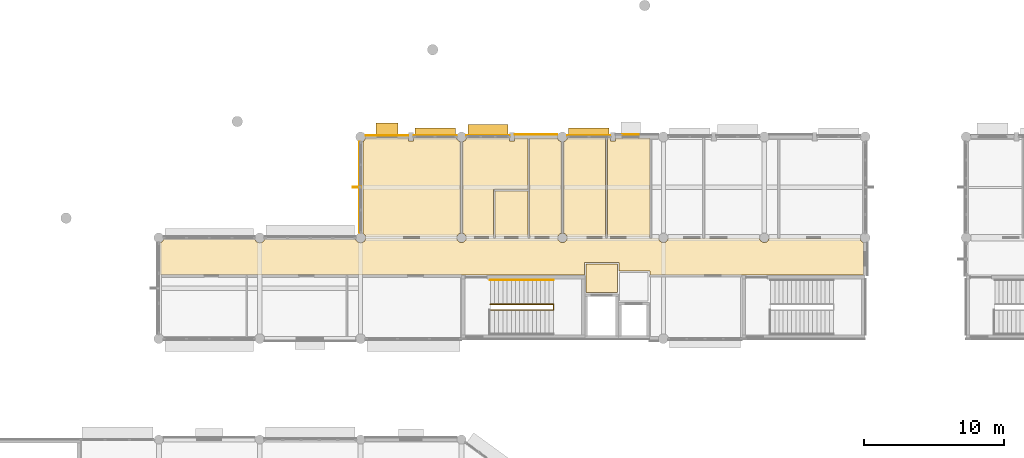
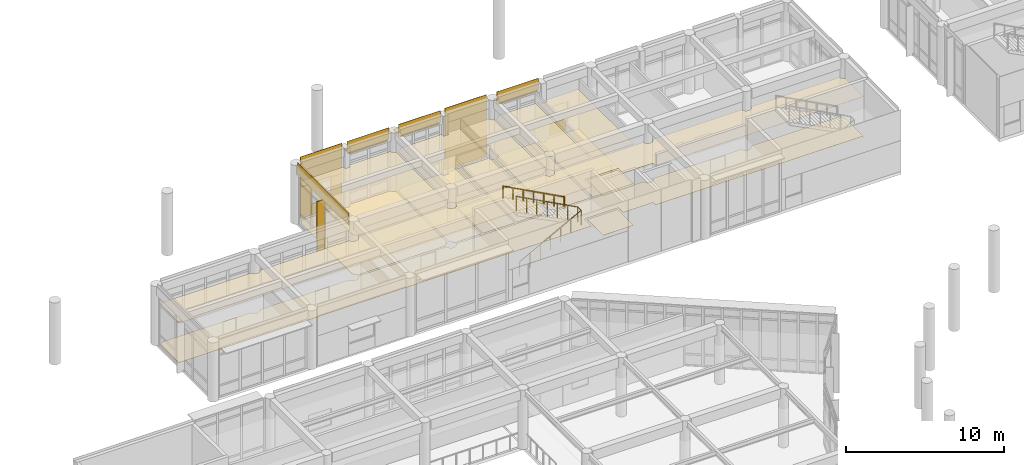
# One storey, part 81 of 92: 26 coverings, 5 shading devices, 2 railings.
"""IFC4 building model written with IfcOpenShell, lengths in metres."""

from ifc_helpers import new_model, si_unit, direction, frame, origin, origin_2d, place, context, subcontext, project, spatial, polyline, rectangle, circle, outline, extrude, material, layer, layer_set, type_object, element, save


model = new_model("IFC4")

# Units and contexts
model_context = context("Model", 3, precision=1e-05, world=origin(), true_north=direction((0.0, 1.0)))
body_context = subcontext(model_context, "Body", "Model", "MODEL_VIEW")
ifc_project = project(units=[si_unit("LENGTHUNIT", "METRE"), si_unit("AREAUNIT", "SQUARE_METRE"), si_unit("VOLUMEUNIT", "CUBIC_METRE"), si_unit("PLANEANGLEUNIT", "RADIAN"), si_unit("MASSUNIT", "GRAM", prefix="KILO")], contexts=[model_context])

# Site, building, storey
site_placement = place(None, origin())
site = spatial("IfcSite", under=ifc_project, at=site_placement, CompositionType="ELEMENT")
building_placement = place(site_placement, origin())
building = spatial("IfcBuilding", under=site, at=building_placement, Name="Namkhue Oval Health Centre", CompositionType="ELEMENT")
storey_placement = place(building_placement, frame((0.0, 0.0, 4.800048828125)))
storey = spatial("IfcBuildingStorey", under=building, at=storey_placement, Name="L01", CompositionType="ELEMENT", Elevation=4.800048828125)

# Coverings
ifc_material_1 = material(Name="Acoustic mineral-fibre cleanroom ceiling", Category="gypsum")
ifc_layer_1 = layer(ifc_material_1, 0.02001953125)
ifc_layer_set_1 = layer_set([ifc_layer_1], Name="Acoustic mineral-fibre cleanroom ceiling")
covering_type_1 = type_object("IfcCoveringType", Name="ACOUSTIC CLEANROOM CEILING 20", PredefinedType="CEILING", material=ifc_layer_set_1)
covering_1_placement = place(storey_placement, frame((0.0, 0.0, 3.050048828125)))
element("IfcCovering", 1, at=covering_1_placement, inside=storey, type_object=covering_type_1, Name="Acoustic Ceiling L01-LL1 Lift Lobby LF-01", PredefinedType="CEILING", context=body_context, shape_type="SweptSolid", body=[
    extrude(outline(polyline([(66.47998046875, 93.280029296875), (66.47998046875, 95.320068359375), (68.719970703125, 95.320068359375), (68.719970703125, 93.280029296875), (66.47998046875, 93.280029296875)])), origin(), (0.0, 0.0, 1.0), 0.02001953125),
])
covering_2_placement = place(storey_placement, frame((0.0, 0.0, 3.050048828125)))
element("IfcCovering", 2, at=covering_2_placement, inside=storey, type_object=covering_type_1, Name="Acoustic Ceiling L01-V2-C1 V2 Clinical Corridor", PredefinedType="CEILING", context=body_context, shape_type="SweptSolid", body=[
    extrude(outline(polyline([(57.270263671875, 97.159912109375), (57.2763671875, 97.11328125), (57.309814453125, 97.032470703125), (57.363037109375, 96.963134765625), (57.4326171875, 96.909912109375), (57.51318359375, 96.87646484375), (57.60009765625, 96.864990234375), (57.686767578125, 96.87646484375), (57.767578125, 96.909912109375), (57.8369140625, 96.963134765625), (57.89013671875, 97.032470703125), (57.923583984375, 97.11328125), (57.9296875, 97.159912109375), (64.47021484375, 97.159912109375), (64.476318359375, 97.11328125), (64.510009765625, 97.032470703125), (64.56298828125, 96.963134765625), (64.632568359375, 96.909912109375), (64.71337890625, 96.87646484375), (64.800048828125, 96.864990234375), (64.88671875, 96.87646484375), (64.967529296875, 96.909912109375), (65.036865234375, 96.963134765625), (65.090087890625, 97.032470703125), (65.12353515625, 97.11328125), (65.129638671875, 97.159912109375), (71.67041015625, 97.159912109375), (71.676513671875, 97.11328125), (71.7099609375, 97.032470703125), (71.76318359375, 96.963134765625), (71.83251953125, 96.909912109375), (71.913330078125, 96.87646484375), (72.0, 96.864990234375), (72.086669921875, 96.87646484375), (72.16748046875, 96.909912109375), (72.23681640625, 96.963134765625), (72.2900390625, 97.032470703125), (72.323486328125, 97.11328125), (72.32958984375, 97.159912109375), (78.870361328125, 97.159912109375), (78.87646484375, 97.11328125), (78.909912109375, 97.032470703125), (78.963134765625, 96.963134765625), (79.032470703125, 96.909912109375), (79.11328125, 96.87646484375), (79.199951171875, 96.864990234375), (79.28662109375, 96.87646484375), (79.367431640625, 96.909912109375), (79.43701171875, 96.963134765625), (79.489990234375, 97.032470703125), (79.523681640625, 97.11328125), (79.52978515625, 97.159912109375), (86.04541015625, 97.159912109375), (86.05224609375, 97.106689453125), (86.088134765625, 97.02001953125), (86.1455078125, 96.9453125), (86.219970703125, 96.88818359375), (86.27490234375, 96.865478515625), (86.27490234375, 94.5400390625), (71.0400390625, 94.5400390625), (71.039794921875, 94.803955078125), (71.037109375, 94.815185546875), (71.0283203125, 94.828369140625), (71.015380859375, 94.8369140625), (71.00390625, 94.83984375), (68.840087890625, 94.840087890625), (68.83984375, 95.40380859375), (68.8369140625, 95.415283203125), (68.828369140625, 95.42822265625), (68.815185546875, 95.43701171875), (68.800048828125, 95.43994140625), (66.39990234375, 95.43994140625), (66.384765625, 95.43701171875), (66.36669921875, 95.422119140625), (66.360107421875, 95.39990234375), (66.360107421875, 94.5400390625), (36.125, 94.5400390625), (36.125, 96.865478515625), (36.179931640625, 96.88818359375), (36.254638671875, 96.9453125), (36.311767578125, 97.02001953125), (36.334716796875, 97.074951171875), (42.865478515625, 97.074951171875), (42.88818359375, 97.02001953125), (42.9453125, 96.9453125), (43.02001953125, 96.88818359375), (43.106689453125, 96.852294921875), (43.199951171875, 96.840087890625), (43.293212890625, 96.852294921875), (43.3798828125, 96.88818359375), (43.45458984375, 96.9453125), (43.51171875, 97.02001953125), (43.53466796875, 97.074951171875), (50.0654296875, 97.074951171875), (50.088134765625, 97.02001953125), (50.1455078125, 96.9453125), (50.219970703125, 96.88818359375), (50.306884765625, 96.852294921875), (50.39990234375, 96.840087890625), (50.4931640625, 96.852294921875), (50.580078125, 96.88818359375), (50.654541015625, 96.9453125), (50.7119140625, 97.02001953125), (50.747802734375, 97.106689453125), (50.754638671875, 97.159912109375), (57.270263671875, 97.159912109375)])), origin(), (0.0, 0.0, 1.0), 0.02001953125),
])
covering_3_placement = place(storey_placement, frame((0.0, 0.0, 3.050048828125)))
element("IfcCovering", 3, at=covering_3_placement, inside=storey, type_object=covering_type_1, Name="Acoustic Ceiling L01-201 GP Consulting Room", PredefinedType="CEILING", context=body_context, shape_type="SweptSolid", body=[
    extrude(outline(polyline([(50.74951171875, 97.280029296875), (50.747802734375, 97.293212890625), (50.7119140625, 97.3798828125), (50.654541015625, 97.45458984375), (50.580078125, 97.51171875), (50.554931640625, 97.522216796875), (50.554931640625, 104.077880859375), (50.580078125, 104.088134765625), (50.654541015625, 104.1455078125), (50.7119140625, 104.219970703125), (50.748779296875, 104.31494140625), (53.81494140625, 104.31494140625), (53.81494140625, 104.090087890625), (54.18505859375, 104.090087890625), (54.18505859375, 104.31494140625), (57.251220703125, 104.31494140625), (57.2880859375, 104.219970703125), (57.345458984375, 104.1455078125), (57.419921875, 104.088134765625), (57.5068359375, 104.05224609375), (57.530029296875, 104.04931640625), (57.530029296875, 97.52587890625), (57.51318359375, 97.523681640625), (57.4326171875, 97.489990234375), (57.363037109375, 97.43701171875), (57.309814453125, 97.367431640625), (57.275390625, 97.280029296875), (50.74951171875, 97.280029296875)])), origin(), (0.0, 0.0, 1.0), 0.02001953125),
])
covering_4_placement = place(storey_placement, frame((0.0, 0.0, 3.050048828125)))
element("IfcCovering", 4, at=covering_4_placement, inside=storey, type_object=covering_type_1, Name="Acoustic Ceiling L01-202 Clean Clinical Utility Room", PredefinedType="CEILING", context=body_context, shape_type="SweptSolid", body=[
    extrude(outline(polyline([(61.014892578125, 104.31494140625), (61.014892578125, 104.090087890625), (61.385009765625, 104.090087890625), (61.385009765625, 104.31494140625), (62.340087890625, 104.31494140625), (62.340087890625, 100.659912109375), (59.8798828125, 100.659912109375), (59.8798828125, 97.280029296875), (57.924560546875, 97.280029296875), (57.89013671875, 97.367431640625), (57.8369140625, 97.43701171875), (57.767578125, 97.489990234375), (57.686767578125, 97.523681640625), (57.669921875, 97.52587890625), (57.669921875, 104.04931640625), (57.693115234375, 104.05224609375), (57.780029296875, 104.088134765625), (57.8544921875, 104.1455078125), (57.911865234375, 104.219970703125), (57.94873046875, 104.31494140625), (61.014892578125, 104.31494140625)])), origin(), (0.0, 0.0, 1.0), 0.02001953125),
])
covering_5_placement = place(storey_placement, frame((0.0, 0.0, 3.050048828125)))
element("IfcCovering", 5, at=covering_5_placement, inside=storey, type_object=covering_type_1, Name="Acoustic Ceiling L01-203 Accessible WC", PredefinedType="CEILING", context=body_context, shape_type="SweptSolid", body=[
    extrude(outline(polyline([(62.340087890625, 100.5400390625), (62.340087890625, 97.280029296875), (60.0, 97.280029296875), (60.0, 100.5400390625), (62.340087890625, 100.5400390625)])), origin(), (0.0, 0.0, 1.0), 0.02001953125),
])
covering_6_placement = place(storey_placement, frame((0.0, 0.0, 3.050048828125)))
element("IfcCovering", 6, at=covering_6_placement, inside=storey, type_object=covering_type_1, Name="Acoustic Ceiling L01-204 Staff Changing Washroom", PredefinedType="CEILING", context=body_context, shape_type="SweptSolid", body=[
    extrude(outline(polyline([(62.4599609375, 97.280029296875), (62.4599609375, 104.31494140625), (64.451171875, 104.31494140625), (64.48828125, 104.219970703125), (64.54541015625, 104.1455078125), (64.6201171875, 104.088134765625), (64.706787109375, 104.05224609375), (64.72998046875, 104.04931640625), (64.72998046875, 97.52587890625), (64.71337890625, 97.523681640625), (64.632568359375, 97.489990234375), (64.56298828125, 97.43701171875), (64.510009765625, 97.367431640625), (64.4755859375, 97.280029296875), (62.4599609375, 97.280029296875)])), origin(), (0.0, 0.0, 1.0), 0.02001953125),
])
covering_7_placement = place(storey_placement, frame((0.0, 0.0, 3.050048828125)))
element("IfcCovering", 7, at=covering_7_placement, inside=storey, type_object=covering_type_1, Name="Acoustic Ceiling L01-205 Medical Supply Store", PredefinedType="CEILING", context=body_context, shape_type="SweptSolid", body=[
    extrude(outline(polyline([(65.12451171875, 97.280029296875), (65.090087890625, 97.367431640625), (65.036865234375, 97.43701171875), (64.967529296875, 97.489990234375), (64.88671875, 97.523681640625), (64.8701171875, 97.52587890625), (64.8701171875, 104.04931640625), (64.893310546875, 104.05224609375), (64.97998046875, 104.088134765625), (65.0546875, 104.1455078125), (65.11181640625, 104.219970703125), (65.148681640625, 104.31494140625), (67.8798828125, 104.31494140625), (67.8798828125, 97.280029296875), (65.12451171875, 97.280029296875)])), origin(), (0.0, 0.0, 1.0), 0.02001953125),
])
covering_8_placement = place(storey_placement, frame((0.0, 0.0, 3.050048828125)))
element("IfcCovering", 8, at=covering_8_placement, inside=storey, type_object=covering_type_1, Name="Acoustic Ceiling L01-206 Electrical Switchgear Plant Room", PredefinedType="CEILING", context=body_context, shape_type="SweptSolid", body=[
    extrude(outline(polyline([(68.02001953125, 97.280029296875), (68.02001953125, 104.31494140625), (68.215087890625, 104.31494140625), (68.215087890625, 104.090087890625), (68.5849609375, 104.090087890625), (68.5849609375, 104.31494140625), (71.030029296875, 104.31494140625), (71.030029296875, 97.280029296875), (68.02001953125, 97.280029296875)])), origin(), (0.0, 0.0, 1.0), 0.02001953125),
])
ifc_material_2 = material(Name="Homogeneous anti-bacterial clinical vinyl flooring", Category="plastic")
ifc_layer_2 = layer(ifc_material_2, 0.014892578125)
ifc_layer_set_2 = layer_set([ifc_layer_2], Name="Homogeneous anti-bacterial clinical vinyl flooring")
covering_type_2 = type_object("IfcCoveringType", Name="CLINICAL ANTIBACTERIAL VINYL FLOORING 15", PredefinedType="FLOORING", material=ifc_layer_set_2)
covering_9_placement = place(storey_placement, origin())
element("IfcCovering", 9, at=covering_9_placement, inside=storey, type_object=covering_type_2, Name="Clinical Flooring L01-LL1 Lift Lobby LF-01", PredefinedType="FLOORING", context=body_context, shape_type="SweptSolid", body=[
    extrude(outline(polyline([(66.47998046875, 93.280029296875), (66.47998046875, 95.320068359375), (68.719970703125, 95.320068359375), (68.719970703125, 93.280029296875), (66.47998046875, 93.280029296875)])), origin(), (0.0, 0.0, 1.0), 0.014892578125),
])
covering_10_placement = place(storey_placement, origin())
element("IfcCovering", 10, at=covering_10_placement, inside=storey, type_object=covering_type_2, Name="Clinical Flooring L01-V2-C1 V2 Clinical Corridor", PredefinedType="FLOORING", context=body_context, shape_type="SweptSolid", body=[
    extrude(outline(polyline([(57.270263671875, 97.159912109375), (57.2763671875, 97.11328125), (57.309814453125, 97.032470703125), (57.363037109375, 96.963134765625), (57.4326171875, 96.909912109375), (57.51318359375, 96.87646484375), (57.60009765625, 96.864990234375), (57.686767578125, 96.87646484375), (57.767578125, 96.909912109375), (57.8369140625, 96.963134765625), (57.89013671875, 97.032470703125), (57.923583984375, 97.11328125), (57.9296875, 97.159912109375), (64.47021484375, 97.159912109375), (64.476318359375, 97.11328125), (64.510009765625, 97.032470703125), (64.56298828125, 96.963134765625), (64.632568359375, 96.909912109375), (64.71337890625, 96.87646484375), (64.800048828125, 96.864990234375), (64.88671875, 96.87646484375), (64.967529296875, 96.909912109375), (65.036865234375, 96.963134765625), (65.090087890625, 97.032470703125), (65.12353515625, 97.11328125), (65.129638671875, 97.159912109375), (71.67041015625, 97.159912109375), (71.676513671875, 97.11328125), (71.7099609375, 97.032470703125), (71.76318359375, 96.963134765625), (71.83251953125, 96.909912109375), (71.913330078125, 96.87646484375), (72.0, 96.864990234375), (72.086669921875, 96.87646484375), (72.16748046875, 96.909912109375), (72.23681640625, 96.963134765625), (72.2900390625, 97.032470703125), (72.323486328125, 97.11328125), (72.32958984375, 97.159912109375), (78.870361328125, 97.159912109375), (78.87646484375, 97.11328125), (78.909912109375, 97.032470703125), (78.963134765625, 96.963134765625), (79.032470703125, 96.909912109375), (79.11328125, 96.87646484375), (79.199951171875, 96.864990234375), (79.28662109375, 96.87646484375), (79.367431640625, 96.909912109375), (79.43701171875, 96.963134765625), (79.489990234375, 97.032470703125), (79.523681640625, 97.11328125), (79.52978515625, 97.159912109375), (86.04541015625, 97.159912109375), (86.05224609375, 97.106689453125), (86.088134765625, 97.02001953125), (86.1455078125, 96.9453125), (86.219970703125, 96.88818359375), (86.27490234375, 96.865478515625), (86.27490234375, 94.5400390625), (71.0400390625, 94.5400390625), (71.039794921875, 94.803955078125), (71.037109375, 94.815185546875), (71.0283203125, 94.828369140625), (71.015380859375, 94.8369140625), (71.00390625, 94.83984375), (68.840087890625, 94.840087890625), (68.83984375, 95.40380859375), (68.8369140625, 95.415283203125), (68.828369140625, 95.42822265625), (68.815185546875, 95.43701171875), (68.800048828125, 95.43994140625), (66.39990234375, 95.43994140625), (66.384765625, 95.43701171875), (66.36669921875, 95.422119140625), (66.360107421875, 95.39990234375), (66.360107421875, 94.5400390625), (36.125, 94.5400390625), (36.125, 96.865478515625), (36.179931640625, 96.88818359375), (36.254638671875, 96.9453125), (36.311767578125, 97.02001953125), (36.334716796875, 97.074951171875), (42.865478515625, 97.074951171875), (42.88818359375, 97.02001953125), (42.9453125, 96.9453125), (43.02001953125, 96.88818359375), (43.106689453125, 96.852294921875), (43.199951171875, 96.840087890625), (43.293212890625, 96.852294921875), (43.3798828125, 96.88818359375), (43.45458984375, 96.9453125), (43.51171875, 97.02001953125), (43.53466796875, 97.074951171875), (50.0654296875, 97.074951171875), (50.088134765625, 97.02001953125), (50.1455078125, 96.9453125), (50.219970703125, 96.88818359375), (50.306884765625, 96.852294921875), (50.39990234375, 96.840087890625), (50.4931640625, 96.852294921875), (50.580078125, 96.88818359375), (50.654541015625, 96.9453125), (50.7119140625, 97.02001953125), (50.747802734375, 97.106689453125), (50.754638671875, 97.159912109375), (57.270263671875, 97.159912109375)])), origin(), (0.0, 0.0, 1.0), 0.014892578125),
])
covering_11_placement = place(storey_placement, origin())
element("IfcCovering", 11, at=covering_11_placement, inside=storey, type_object=covering_type_2, Name="Clinical Flooring L01-201 GP Consulting Room", PredefinedType="FLOORING", context=body_context, shape_type="SweptSolid", body=[
    extrude(outline(polyline([(50.74951171875, 97.280029296875), (50.747802734375, 97.293212890625), (50.7119140625, 97.3798828125), (50.654541015625, 97.45458984375), (50.580078125, 97.51171875), (50.554931640625, 97.522216796875), (50.554931640625, 104.077880859375), (50.580078125, 104.088134765625), (50.654541015625, 104.1455078125), (50.7119140625, 104.219970703125), (50.748779296875, 104.31494140625), (53.81494140625, 104.31494140625), (53.81494140625, 104.090087890625), (54.18505859375, 104.090087890625), (54.18505859375, 104.31494140625), (57.251220703125, 104.31494140625), (57.2880859375, 104.219970703125), (57.345458984375, 104.1455078125), (57.419921875, 104.088134765625), (57.5068359375, 104.05224609375), (57.530029296875, 104.04931640625), (57.530029296875, 97.52587890625), (57.51318359375, 97.523681640625), (57.4326171875, 97.489990234375), (57.363037109375, 97.43701171875), (57.309814453125, 97.367431640625), (57.275390625, 97.280029296875), (50.74951171875, 97.280029296875)])), origin(), (0.0, 0.0, 1.0), 0.014892578125),
])
covering_12_placement = place(storey_placement, origin())
element("IfcCovering", 12, at=covering_12_placement, inside=storey, type_object=covering_type_2, Name="Clinical Flooring L01-202 Clean Clinical Utility Room", PredefinedType="FLOORING", context=body_context, shape_type="SweptSolid", body=[
    extrude(outline(polyline([(61.014892578125, 104.31494140625), (61.014892578125, 104.090087890625), (61.385009765625, 104.090087890625), (61.385009765625, 104.31494140625), (62.340087890625, 104.31494140625), (62.340087890625, 100.659912109375), (59.8798828125, 100.659912109375), (59.8798828125, 97.280029296875), (57.924560546875, 97.280029296875), (57.89013671875, 97.367431640625), (57.8369140625, 97.43701171875), (57.767578125, 97.489990234375), (57.686767578125, 97.523681640625), (57.669921875, 97.52587890625), (57.669921875, 104.04931640625), (57.693115234375, 104.05224609375), (57.780029296875, 104.088134765625), (57.8544921875, 104.1455078125), (57.911865234375, 104.219970703125), (57.94873046875, 104.31494140625), (61.014892578125, 104.31494140625)])), origin(), (0.0, 0.0, 1.0), 0.014892578125),
])
covering_13_placement = place(storey_placement, origin())
element("IfcCovering", 13, at=covering_13_placement, inside=storey, type_object=covering_type_2, Name="Clinical Flooring L01-203 Accessible WC", PredefinedType="FLOORING", context=body_context, shape_type="SweptSolid", body=[
    extrude(outline(polyline([(62.340087890625, 100.5400390625), (62.340087890625, 97.280029296875), (60.0, 97.280029296875), (60.0, 100.5400390625), (62.340087890625, 100.5400390625)])), origin(), (0.0, 0.0, 1.0), 0.014892578125),
])
covering_14_placement = place(storey_placement, origin())
element("IfcCovering", 14, at=covering_14_placement, inside=storey, type_object=covering_type_2, Name="Clinical Flooring L01-204 Staff Changing Washroom", PredefinedType="FLOORING", context=body_context, shape_type="SweptSolid", body=[
    extrude(outline(polyline([(62.4599609375, 97.280029296875), (62.4599609375, 104.31494140625), (64.451171875, 104.31494140625), (64.48828125, 104.219970703125), (64.54541015625, 104.1455078125), (64.6201171875, 104.088134765625), (64.706787109375, 104.05224609375), (64.72998046875, 104.04931640625), (64.72998046875, 97.52587890625), (64.71337890625, 97.523681640625), (64.632568359375, 97.489990234375), (64.56298828125, 97.43701171875), (64.510009765625, 97.367431640625), (64.4755859375, 97.280029296875), (62.4599609375, 97.280029296875)])), origin(), (0.0, 0.0, 1.0), 0.014892578125),
])
covering_15_placement = place(storey_placement, origin())
element("IfcCovering", 15, at=covering_15_placement, inside=storey, type_object=covering_type_2, Name="Clinical Flooring L01-205 Medical Supply Store", PredefinedType="FLOORING", context=body_context, shape_type="SweptSolid", body=[
    extrude(outline(polyline([(65.12451171875, 97.280029296875), (65.090087890625, 97.367431640625), (65.036865234375, 97.43701171875), (64.967529296875, 97.489990234375), (64.88671875, 97.523681640625), (64.8701171875, 97.52587890625), (64.8701171875, 104.04931640625), (64.893310546875, 104.05224609375), (64.97998046875, 104.088134765625), (65.0546875, 104.1455078125), (65.11181640625, 104.219970703125), (65.148681640625, 104.31494140625), (67.8798828125, 104.31494140625), (67.8798828125, 97.280029296875), (65.12451171875, 97.280029296875)])), origin(), (0.0, 0.0, 1.0), 0.014892578125),
])
covering_16_placement = place(storey_placement, origin())
element("IfcCovering", 16, at=covering_16_placement, inside=storey, type_object=covering_type_2, Name="Clinical Flooring L01-206 Electrical Switchgear Plant Room", PredefinedType="FLOORING", context=body_context, shape_type="SweptSolid", body=[
    extrude(outline(polyline([(68.02001953125, 97.280029296875), (68.02001953125, 104.31494140625), (68.215087890625, 104.31494140625), (68.215087890625, 104.090087890625), (68.5849609375, 104.090087890625), (68.5849609375, 104.31494140625), (71.030029296875, 104.31494140625), (71.030029296875, 97.280029296875), (68.02001953125, 97.280029296875)])), origin(), (0.0, 0.0, 1.0), 0.014892578125),
])

# Railings
ifc_material_3 = material(Name="Brushed stainless steel 316L balustrade with laminated glass infill", Category="steel")
railing_type_1 = type_object("IfcRailingType", Name="INTERIOR BALUSTRADE GUARD 1150", PredefinedType="BALUSTRADE", material=ifc_material_3)
railing_1_placement = place(storey_placement, frame((59.64990234375, 92.0400390625, 0.0)))
element("IfcRailing", 17, at=railing_1_placement, inside=storey, type_object=railing_type_1, Name="Stair ST-03 L01 Inner Well Guard", PredefinedType="BALUSTRADE", context=body_context, shape_type="SweptSolid", body=[
    extrude(circle(Radius=0.02392578125, at=origin_2d()), frame((0.0, 0.0, 1.1259765625), z_axis=(0.882360891967, 0.0, 0.470573327259), x_axis=(0.0, 1.0, 0.0)), (0.0, 0.0, 1.0), 5.099853515625),
    extrude(circle(Radius=0.02392578125, at=origin_2d()), frame((4.5, 0.0, 3.52587890625), z_axis=(0.0, 1.0, 0.0), x_axis=(-1.0, 0.0, 0.0)), (0.0, 0.0, 1.0), 0.419921875),
    extrude(circle(Radius=0.02392578125, at=origin_2d()), frame((4.5, 0.419921875, 3.52587890625), z_axis=(-0.882341014787, 0.0, 0.470610596591), x_axis=(0.0, -1.0, 0.0)), (0.0, 0.0, 1.0), 5.10009765625),
    extrude(circle(Radius=0.02099609375, at=origin_2d()), origin(), (0.0, 0.0, 1.0), 1.101806640625),
    extrude(circle(Radius=0.02099609375, at=origin_2d()), frame((0.75, 0.0, 0.39990234375)), (0.0, 0.0, 1.0), 1.101806640625),
    extrude(circle(Radius=0.02099609375, at=origin_2d()), frame((1.5, 0.0, 0.800048828125)), (0.0, 0.0, 1.0), 1.101806640625),
    extrude(circle(Radius=0.02099609375, at=origin_2d()), frame((2.25, 0.0, 1.199951171875)), (0.0, 0.0, 1.0), 1.101806640625),
    extrude(circle(Radius=0.02099609375, at=origin_2d()), frame((3.0, 0.0, 1.599853515625)), (0.0, 0.0, 1.0), 1.101806640625),
    extrude(circle(Radius=0.02099609375, at=origin_2d()), frame((3.75, 0.0, 2.0)), (0.0, 0.0, 1.0), 1.101806640625),
    extrude(circle(Radius=0.02099609375, at=origin_2d()), frame((4.5, 0.0, 2.39990234375)), (0.0, 0.0, 1.0), 1.101806640625),
    extrude(circle(Radius=0.02099609375, at=origin_2d()), frame((4.5, 0.419921875, 2.39990234375)), (0.0, 0.0, 1.0), 1.101806640625),
    extrude(circle(Radius=0.02099609375, at=origin_2d()), frame((3.75, 0.419921875, 2.7998046875)), (0.0, 0.0, 1.0), 1.101806640625),
    extrude(circle(Radius=0.02099609375, at=origin_2d()), frame((3.0, 0.419921875, 3.199951171875)), (0.0, 0.0, 1.0), 1.101806640625),
    extrude(circle(Radius=0.02099609375, at=origin_2d()), frame((2.25, 0.419921875, 3.60009765625)), (0.0, 0.0, 1.0), 1.101806640625),
    extrude(circle(Radius=0.02099609375, at=origin_2d()), frame((1.5, 0.419921875, 4.0)), (0.0, 0.0, 1.0), 1.101806640625),
    extrude(circle(Radius=0.02099609375, at=origin_2d()), frame((0.75, 0.419921875, 4.39990234375)), (0.0, 0.0, 1.0), 1.101806640625),
    extrude(circle(Radius=0.02099609375, at=origin_2d()), frame((0.0, 0.419921875, 4.800048828125)), (0.0, 0.0, 1.0), 1.101806640625),
])
ifc_material_4 = material(Name="Brushed stainless steel 304 tubular handrail", Category="steel")
railing_type_2 = type_object("IfcRailingType", Name="INTERIOR STAIR HANDRAIL 900", PredefinedType="HANDRAIL", material=ifc_material_4)
railing_2_placement = place(storey_placement, frame((64.14990234375, 94.179931640625, 2.39990234375)))
element("IfcRailing", 18, at=railing_2_placement, inside=storey, type_object=railing_type_2, Name="Stair ST-03 L01 Flight 2 Handrail", PredefinedType="HANDRAIL", context=body_context, shape_type="SweptSolid", body=[
    extrude(circle(Radius=0.02392578125, at=origin_2d()), frame((0.0, 0.0, 0.8759765625), z_axis=(-0.882341014787, 0.0, 0.470610596591), x_axis=(0.0, -1.0, 0.0)), (0.0, 0.0, 1.0), 5.10009765625),
    extrude(circle(Radius=0.02099609375, at=origin_2d()), origin(), (0.0, 0.0, 1.0), 0.851806640625),
    extrude(circle(Radius=0.02099609375, at=origin_2d()), frame((-0.75, 0.0, 0.39990234375)), (0.0, 0.0, 1.0), 0.851806640625),
    extrude(circle(Radius=0.02099609375, at=origin_2d()), frame((-1.5, 0.0, 0.800048828125)), (0.0, 0.0, 1.0), 0.851806640625),
    extrude(circle(Radius=0.02099609375, at=origin_2d()), frame((-2.25, 0.0, 1.2001953125)), (0.0, 0.0, 1.0), 0.851806640625),
    extrude(circle(Radius=0.02099609375, at=origin_2d()), frame((-3.0, 0.0, 1.60009765625)), (0.0, 0.0, 1.0), 0.851806640625),
    extrude(circle(Radius=0.02099609375, at=origin_2d()), frame((-3.75, 0.0, 2.0)), (0.0, 0.0, 1.0), 0.851806640625),
    extrude(circle(Radius=0.02099609375, at=origin_2d()), frame((-4.5, 0.0, 2.400146484375)), (0.0, 0.0, 1.0), 0.851806640625),
])

# Shading devices
ifc_material_5 = material(Name="Anodised aluminium EN AW-6063 T6", Category="aluminium")
ifc_layer_3 = layer(ifc_material_5, 0.06005859375)
ifc_layer_set_3 = layer_set([ifc_layer_3], Name="Anodised aluminium EN AW-6063 T6")
shading_device_type_1 = type_object("IfcShadingDeviceType", Name="MONSOON SUN LOUVRE 900", PredefinedType="JALOUSIE", material=ifc_layer_set_3)
shading_device_1_placement = place(storey_placement, frame((59.487060546875, 104.85009765625, 3.8349609375), z_axis=(0.0, 0.0, 1.0), x_axis=(-1.0, 0.0, 0.0)))
element("IfcShadingDevice", 19, at=shading_device_1_placement, inside=storey, type_object=shading_device_type_1, Name="Volume V2 L01 Horizontal Monsoon Sun Louvre 70", PredefinedType="JALOUSIE", context=body_context, shape_type="SweptSolid", body=[
    extrude(rectangle(XDim=2.884033203125, YDim=0.89990234375, at=origin_2d()), origin(), (0.0, 0.0, 1.0), 0.06005859375),
])
shading_device_2_placement = place(storey_placement, frame((52.287109375, 104.929931640625, 2.4599609375), z_axis=(0.0, 0.0, 1.0), x_axis=(-1.0, 0.0, 0.0)))
element("IfcShadingDevice", 20, at=shading_device_2_placement, inside=storey, type_object=shading_device_type_1, Name="Volume V2 L01 Window Monsoon Louvre 72", PredefinedType="JALOUSIE", context=body_context, shape_type="SweptSolid", body=[
    extrude(rectangle(XDim=1.590087890625, YDim=0.89990234375, at=origin_2d()), origin(), (0.0, 0.0, 1.0), 0.06005859375),
])
ifc_layer_4 = layer(ifc_material_5, 0.050048828125)
ifc_layer_set_4 = layer_set([ifc_layer_4], Name="Anodised aluminium EN AW-6063 T6")
shading_device_type_2 = type_object("IfcShadingDeviceType", Name="STORM SHUTTER LOUVRE 650", PredefinedType="SHUTTER", material=ifc_layer_set_4)
for number, where, z_axis, x_axis, name in (
    (21, (66.68701171875, 104.72509765625, 3.8349609375), (0.0, 0.0, 1.0), (-1.0, 0.0, 0.0), "Volume V2 L01 Horizontal Monsoon Sun Louvre 69"),
    (22, (55.712890625, 104.72509765625, 3.8349609375), (0.0, 0.0, 1.0), (-1.0, 0.0, 0.0), "Volume V2 L01 Horizontal Monsoon Sun Louvre 71"),
):
    element("IfcShadingDevice", number, at=place(storey_placement, frame(where, z_axis=z_axis, x_axis=x_axis)), inside=storey, type_object=shading_device_type_2, Name=name, PredefinedType="SHUTTER", context=body_context, shape_type="SweptSolid", body=[
        extrude(rectangle(XDim=2.884033203125, YDim=0.64990234375, at=origin_2d()), origin(), (0.0, 0.0, 1.0), 0.06005859375),
    ])
shading_device_type_3 = type_object("IfcShadingDeviceType", Name="VERTICAL SOLAR FIN 600", PredefinedType="USERDEFINED", material=ifc_material_5)
shading_device_3_placement = place(storey_placement, frame((50.139892578125, 100.800048828125, 0.0), z_axis=(0.0, 0.0, 1.0), x_axis=(-1.0, 0.0, 0.0)))
element("IfcShadingDevice", 23, at=shading_device_3_placement, inside=storey, type_object=shading_device_type_3, Name="Volume V2 L01 Extruded Aluminium Solar Fin 73", ObjectType="SOLAR FIN", PredefinedType="USERDEFINED", context=body_context, shape_type="SweptSolid", body=[
    extrude(rectangle(XDim=0.60009765625, YDim=0.06005859375, at=origin_2d()), origin(), (0.0, 0.0, 1.0), 3.905029296875),
])

# Coverings
ifc_material_6 = material(Name="White glass-fibre reinforced concrete GRC rainscreen cladding", Category="concrete")
ifc_layer_5 = layer(ifc_material_6, 0.02490234375)
ifc_layer_set_5 = layer_set([ifc_layer_5], Name="White glass-fibre reinforced concrete GRC rainscreen cladding")
covering_type_3 = type_object("IfcCoveringType", Name="WHITE GRC RAINSCREEN CLADDING 25", PredefinedType="CLADDING", material=ifc_layer_set_5)
covering_17_placement = place(storey_placement, frame((69.6630859375, 104.572021484375, 0.010009765625), z_axis=(0.0, 0.0, 1.0), x_axis=(-1.0, 0.0, 0.0)))
element("IfcCovering", 24, at=covering_17_placement, inside=storey, type_object=covering_type_3, Name="Volume V2 L01 Facade 31 White GRC Cladding 3", PredefinedType="CLADDING", context=body_context, shape_type="SweptSolid", body=[
    extrude(rectangle(XDim=1.169921875, YDim=0.02490234375, at=origin_2d()), origin(), (0.0, 0.0, 1.0), 0.875),
])
covering_18_placement = place(storey_placement, frame((66.68701171875, 104.488525390625, 3.89013671875), z_axis=(0.0, 0.0, 1.0), x_axis=(-1.0, 0.0, 0.0)))
element("IfcCovering", 25, at=covering_18_placement, inside=storey, type_object=covering_type_3, Name="Volume V2 L01 Curtain Wall Spandrel Cladding 54", PredefinedType="CLADDING", context=body_context, shape_type="SweptSolid", body=[
    extrude(rectangle(XDim=3.073974609375, YDim=0.02490234375, at=origin_2d()), origin(), (0.0, 0.0, 1.0), 0.909912109375),
])
covering_19_placement = place(storey_placement, frame((62.9130859375, 104.576904296875, 0.009765625), z_axis=(0.0, 0.0, 1.0), x_axis=(-1.0, 0.0, 0.0)))
element("IfcCovering", 26, at=covering_19_placement, inside=storey, type_object=covering_type_3, Name="Volume V2 L01 Facade 32 White GRC Cladding 1", PredefinedType="CLADDING", context=body_context, shape_type="SweptSolid", body=[
    extrude(rectangle(XDim=3.0439453125, YDim=0.02490234375, at=origin_2d()), origin(), (0.0, 0.0, 1.0), 4.780029296875),
])
for number, where, z_axis, x_axis, name in (
    (27, (59.487060546875, 104.488525390625, 3.89013671875), (0.0, 0.0, 1.0), (-1.0, 0.0, 0.0), "Volume V2 L01 Curtain Wall Spandrel Cladding 55"),
    (28, (55.712890625, 104.488525390625, 3.89013671875), (0.0, 0.0, 1.0), (-1.0, 0.0, 0.0), "Volume V2 L01 Curtain Wall Spandrel Cladding 56"),
):
    element("IfcCovering", number, at=place(storey_placement, frame(where, z_axis=z_axis, x_axis=x_axis)), inside=storey, type_object=covering_type_3, Name=name, PredefinedType="CLADDING", context=body_context, shape_type="SweptSolid", body=[
        extrude(rectangle(XDim=3.073974609375, YDim=0.02490234375, at=origin_2d()), origin(), (0.0, 0.0, 1.0), 0.909912109375),
    ])
covering_20_placement = place(storey_placement, frame((52.287109375, 104.501953125, 2.455078125), z_axis=(0.0, 0.0, 1.0), x_axis=(-1.0, 0.0, 0.0)))
element("IfcCovering", 29, at=covering_20_placement, inside=storey, type_object=covering_type_3, Name="Volume V2 L01 Facade 33 White GRC Cladding 1", PredefinedType="CLADDING", context=body_context, shape_type="SweptSolid", body=[
    extrude(rectangle(XDim=3.0439453125, YDim=0.02490234375, at=origin_2d()), origin(), (0.0, 0.0, 1.0), 2.3349609375),
])
covering_21_placement = place(storey_placement, frame((53.39306640625, 104.501953125, 0.010009765625), z_axis=(0.0, 0.0, 1.0), x_axis=(-1.0, 0.0, 0.0)))
element("IfcCovering", 30, at=covering_21_placement, inside=storey, type_object=covering_type_3, Name="Volume V2 L01 Facade 33 White GRC Cladding 2", PredefinedType="CLADDING", context=body_context, shape_type="SweptSolid", body=[
    extrude(rectangle(XDim=0.83203125, YDim=0.02490234375, at=origin_2d()), origin(), (0.0, 0.0, 1.0), 2.43994140625),
])
covering_22_placement = place(storey_placement, frame((52.287109375, 104.501953125, 0.010009765625), z_axis=(0.0, 0.0, 1.0), x_axis=(-1.0, 0.0, 0.0)))
element("IfcCovering", 31, at=covering_22_placement, inside=storey, type_object=covering_type_3, Name="Volume V2 L01 Facade 33 White GRC Cladding 3", PredefinedType="CLADDING", context=body_context, shape_type="SweptSolid", body=[
    extrude(rectangle(XDim=1.3701171875, YDim=0.02490234375, at=origin_2d()), origin(), (0.0, 0.0, 1.0), 0.875),
])
covering_23_placement = place(storey_placement, frame((51.180908203125, 104.501953125, 0.010009765625), z_axis=(0.0, 0.0, 1.0), x_axis=(-1.0, 0.0, 0.0)))
element("IfcCovering", 32, at=covering_23_placement, inside=storey, type_object=covering_type_3, Name="Volume V2 L01 Facade 33 White GRC Cladding 4", PredefinedType="CLADDING", context=body_context, shape_type="SweptSolid", body=[
    extrude(rectangle(XDim=0.83203125, YDim=0.02490234375, at=origin_2d()), origin(), (0.0, 0.0, 1.0), 2.43994140625),
])
covering_24_placement = place(storey_placement, frame((50.3115234375, 100.800048828125, 3.89013671875), z_axis=(0.0, 0.0, 1.0), x_axis=(0.0, -1.0, 0.0)))
element("IfcCovering", 33, at=covering_24_placement, inside=storey, type_object=covering_type_3, Name="Volume V2 L01 Curtain Wall Spandrel Cladding 57", PredefinedType="CLADDING", context=body_context, shape_type="SweptSolid", body=[
    extrude(rectangle(XDim=6.5, YDim=0.02490234375, at=origin_2d()), origin(), (0.0, 0.0, 1.0), 0.909912109375),
])

save(model, "model.ifc")
